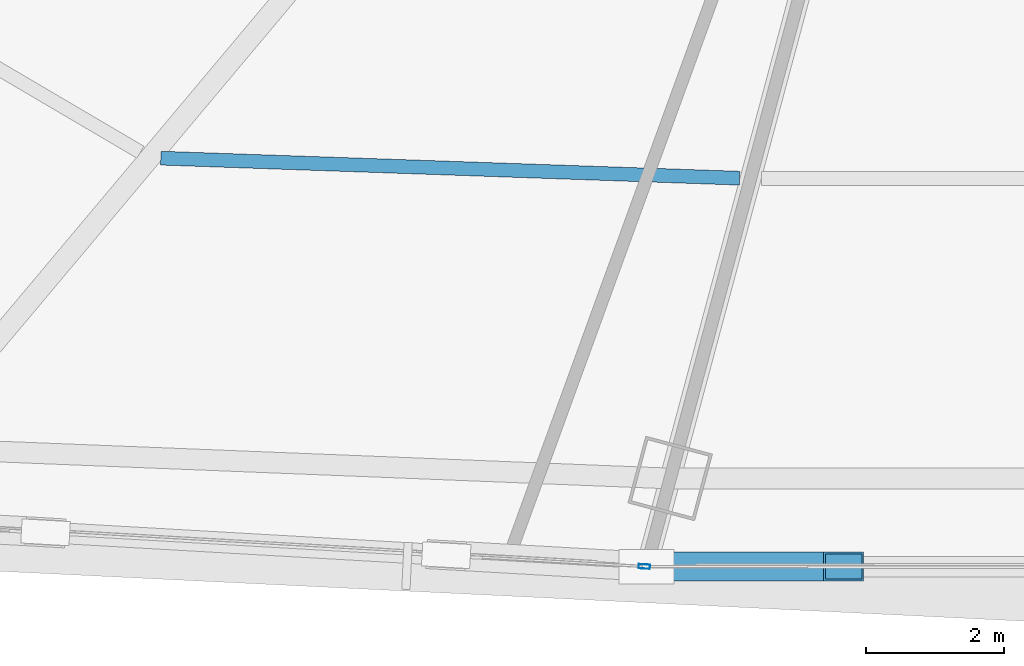
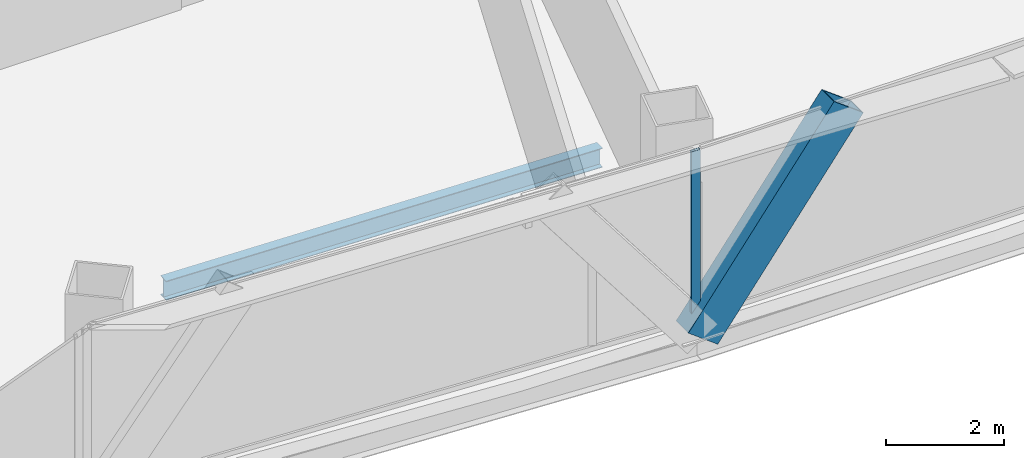
# One storey, part 10 of 41: 2 members, 1 beam, 1 element without a shape of its own.
"""IFC4 building model written with IfcOpenShell, lengths in metres."""

from ifc_helpers import new_model, si_unit, direction, frame, origin, origin_2d, place, context, subcontext, project, spatial, hollow_rectangle, i_section, extrude, source, transform, mapped, material, layer, layer_set, material_profile, profile_set, type_object, element, aggregate, save


model = new_model("IFC4")

# Units and contexts
model_context = context("Model", 3, precision=1e-05, world=origin(), true_north=direction((0.0, 1.0)))
body_context = subcontext(model_context, "Body", "Model", "MODEL_VIEW")
ifc_project = project(units=[si_unit("LENGTHUNIT", "METRE"), si_unit("AREAUNIT", "SQUARE_METRE"), si_unit("VOLUMEUNIT", "CUBIC_METRE"), si_unit("PLANEANGLEUNIT", "RADIAN"), si_unit("MASSUNIT", "GRAM", prefix="KILO"), si_unit("THERMODYNAMICTEMPERATUREUNIT", "KELVIN"), si_unit("POWERUNIT", "WATT")], contexts=[model_context])

# Site, building, storey
site_placement = place(None, origin())
site = spatial("IfcSite", under=ifc_project, at=site_placement, CompositionType="ELEMENT")
building_placement = place(site_placement, origin())
building = spatial("IfcBuilding", under=site, at=building_placement, Name="Yunzhuo Pagoda Commons", CompositionType="ELEMENT")
storey_placement = place(building_placement, frame((0.0, 0.0, 111.580078125)))
storey = spatial("IfcBuildingStorey", under=building, at=storey_placement, Name="L28", CompositionType="ELEMENT", Elevation=111.580078125)

# Beam
ifc_material_1 = material(Name="Structural steel Q355B", Category="steel")
ifc_material_profile_1 = material_profile(ifc_material_1, i_section(OverallWidth=0.199951171875, OverallDepth=0.39990234375, WebThickness=0.008056640625, FlangeThickness=0.012939453125, at=origin_2d()), Name="Structural steel Q355B")
ifc_profile_set_1 = profile_set([ifc_material_profile_1], Name="Structural steel Q355B")
beam_type = type_object("IfcBeamType", Name="B-JS1 Joist HN 400x200x8x13", PredefinedType="JOIST", material=ifc_profile_set_1)
shared_shape_1 = source(origin(), body_context, "Body", "SweptSolid", [
    extrude(i_section(OverallWidth=0.199951171875, OverallDepth=0.39990234375, WebThickness=0.008056640625, FlangeThickness=0.012939453125, at=origin_2d()), origin(), (0.0, 0.0, 1.0), 8.392822265625),
])
beam_placement = place(storey_placement, frame((35.25048828125, 18.310791015625, -0.4599609375), z_axis=(0.999400667027, -0.034616567521, 0.0), x_axis=(0.034616567521, 0.999400667027, 0.0)))
element("IfcBeam", 1, at=beam_placement, inside=storey, type_object=beam_type, Name="L28 composite ring joist 2.1", PredefinedType="JOIST", context=body_context, shape_type="MappedRepresentation", body=[
    mapped(shared_shape_1, transform((0.0, 0.0, 0.0), scale=1.0)),
])

# Member
ifc_material_2 = material(Name="Structural steel Q420B", Category="steel")
ifc_material_profile_2 = material_profile(ifc_material_2, hollow_rectangle(XDim=0.419921875, YDim=0.719970703125, WallThickness=0.028076171875, at=origin_2d()), Name="Structural steel Q420B")
ifc_profile_set_2 = profile_set([ifc_material_profile_2], Name="Structural steel Q420B")
member_type_1 = type_object("IfcMemberType", Name="M-DL1 Brace BOX 720x420x28", PredefinedType="BRACE", material=ifc_profile_set_2)
shared_shape_2 = source(origin(), body_context, "Body", "SweptSolid", [
    extrude(hollow_rectangle(XDim=0.419921875, YDim=0.719970703125, WallThickness=0.028076171875, at=origin_2d()), origin(), (0.0, 0.0, 1.0), 4.7529296875),
])
member_1_placement = place(storey_placement, frame((42.290283203125, 12.39111328125, -0.260009765625), z_axis=(0.600665486194, 0.0, 0.799500452592), x_axis=(0.0, 1.0, 0.0)))
element("IfcMember", 2, at=member_1_placement, inside=storey, type_object=member_type_1, Name="L28 facade diamond brace F1.2L", PredefinedType="BRACE", context=body_context, shape_type="MappedRepresentation", body=[
    mapped(shared_shape_2, transform((0.0, 0.0, 0.0), scale=1.0)),
])

# Curtain wall, member
ifc_material_3 = material(Name="Anodized aluminium 6063-T6", Category="aluminium")
ifc_layer = layer(ifc_material_3, 0.1650390625)
ifc_layer_set = layer_set([ifc_layer], Name="Anodized aluminium 6063-T6")
curtain_wall_type = type_object("IfcCurtainWallType", Name="CW-LOW Low-Zone Ribbon Curtain Wall", PredefinedType="NOTDEFINED", material=ifc_layer_set)
curtain_wall_placement = place(storey_placement, origin())
curtain_wall = element("IfcCurtainWall", 3, at=curtain_wall_placement, inside=storey, type_object=curtain_wall_type, Name="L28 curtain wall CW-L28-F1B2", PredefinedType="NOTDEFINED")
ifc_material_profile_3 = material_profile(ifc_material_3, hollow_rectangle(XDim=0.06494140625, YDim=0.1650390625, WallThickness=0.00390625, at=origin_2d()), Name="Anodized aluminium 6063-T6")
ifc_profile_set_3 = profile_set([ifc_material_profile_3], Name="Anodized aluminium 6063-T6")
member_type_2 = type_object("IfcMemberType", Name="CW-LOW-M Mullion RHS 165x65x4", PredefinedType="MULLION", material=ifc_profile_set_3)
shared_shape_3 = source(origin(), body_context, "Body", "SweptSolid", [
    extrude(hollow_rectangle(XDim=0.06494140625, YDim=0.1650390625, WallThickness=0.00390625, at=origin_2d()), origin(), (0.0, 0.0, 1.0), 3.5400390625),
])
member_2_placement = place(storey_placement, frame((42.258056640625, 12.392822265625, 0.0), z_axis=(0.0, 0.0, 1.0), x_axis=(0.057027757736, 0.998372593197, 0.0)))
member_2 = element("IfcMember", 4, at=member_2_placement, type_object=member_type_2, Name="CW mullion 2", PredefinedType="MULLION", context=body_context, shape_type="MappedRepresentation", body=[
    mapped(shared_shape_3, transform((0.0, 0.0, 0.0), scale=1.0)),
])
aggregate(curtain_wall, [member_2])

save(model, "model.ifc")
